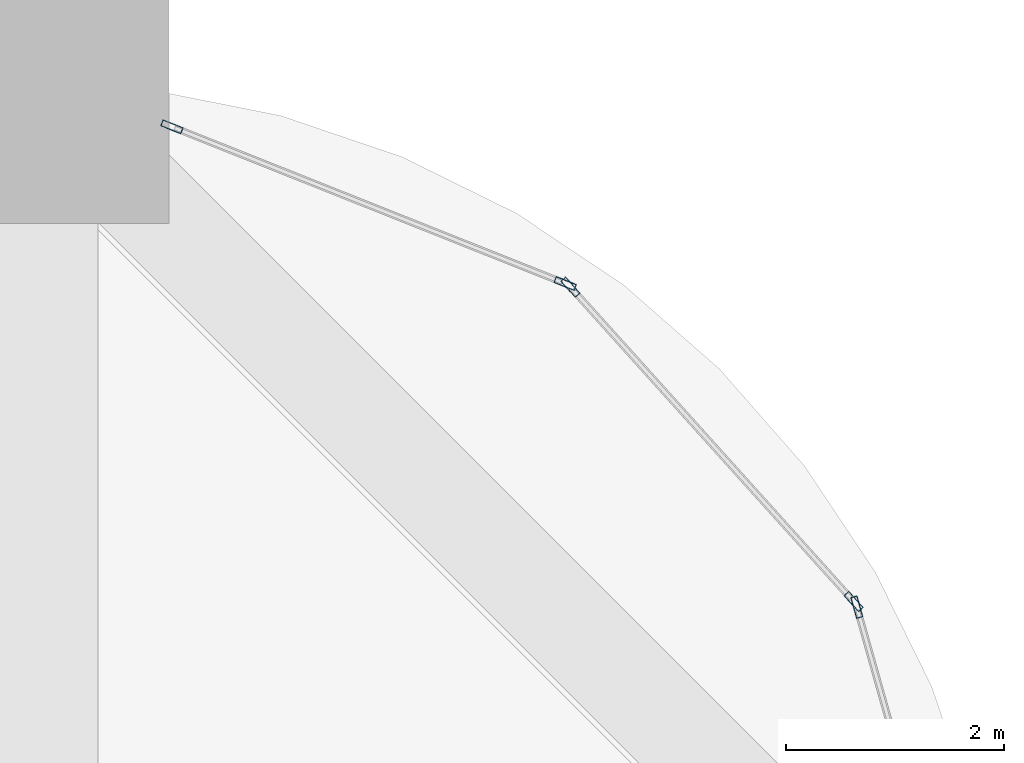
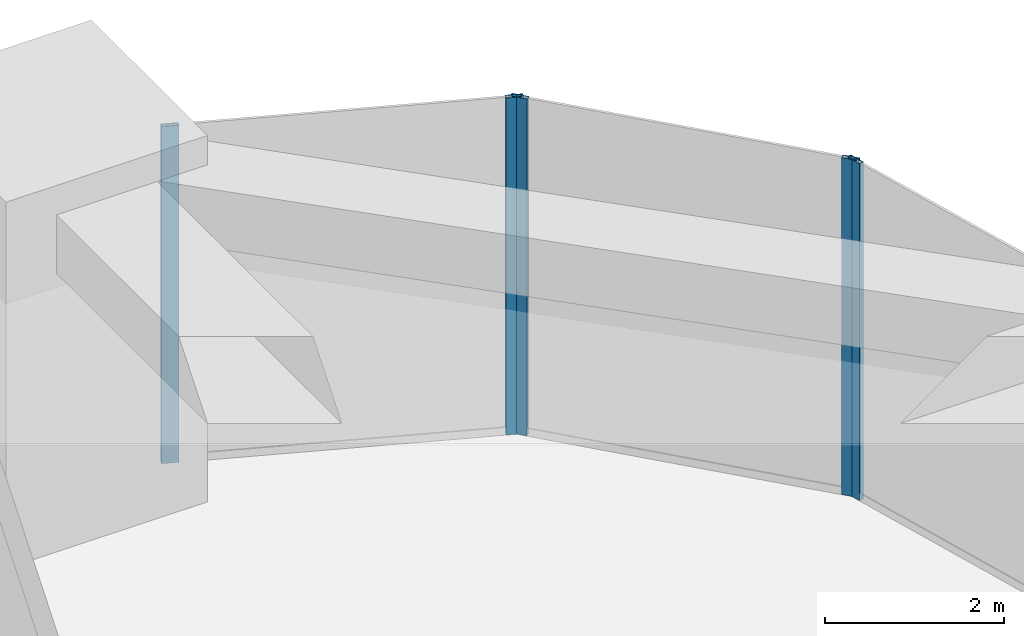
# One storey, part 39 of 46: 5 members, 3 elements without a shape of their own.
"""IFC4 building model written with IfcOpenShell, lengths in metres."""

from ifc_helpers import new_model, si_unit, direction, frame, origin, origin_2d, place, context, subcontext, project, spatial, hollow_rectangle, extrude, material, material_profile, profile_set, type_object, element, aggregate, save


model = new_model("IFC4")

# Units and contexts
model_context = context("Model", 3, precision=1e-05, world=origin(), true_north=direction((0.0, 1.0)))
body_context = subcontext(model_context, "Body", "Model", "MODEL_VIEW")
ifc_project = project(units=[si_unit("LENGTHUNIT", "METRE"), si_unit("AREAUNIT", "SQUARE_METRE"), si_unit("VOLUMEUNIT", "CUBIC_METRE"), si_unit("PLANEANGLEUNIT", "RADIAN"), si_unit("MASSUNIT", "GRAM", prefix="KILO")], contexts=[model_context])

# Site, building, storey
site_placement = place(None, origin())
site = spatial("IfcSite", under=ifc_project, at=site_placement, CompositionType="ELEMENT")
building_placement = place(site_placement, origin())
building = spatial("IfcBuilding", under=site, at=building_placement, Name="Zorevar Civic Tower", CompositionType="ELEMENT")
storey_placement = place(building_placement, frame((0.0, 0.0, 10.800048828125)))
storey = spatial("IfcBuildingStorey", under=building, at=storey_placement, Name="L02", CompositionType="ELEMENT", Elevation=10.800048828125)

# Curtain wall, member
ifc_material_1 = material(Name="Dark grey solar-control glass in black aluminium frame", Category="aluminium")
curtain_wall_type = type_object("IfcCurtainWallType", Name="Curtain wall CW1 podium", PredefinedType="NOTDEFINED", material=ifc_material_1)
curtain_wall_1_placement = place(storey_placement, origin())
curtain_wall_1 = element("IfcCurtainWall", 1, at=curtain_wall_1_placement, inside=storey, type_object=curtain_wall_type, Name="CW1 L02", PredefinedType="NOTDEFINED")
ifc_material_2 = material(Name="Aluminium, black anodised", Category="aluminium")
ifc_material_profile = material_profile(ifc_material_2, hollow_rectangle(XDim=0.06005859375, YDim=0.199951171875, WallThickness=0.00390625, at=origin_2d()), Name="AL 200x60x4")
ifc_profile_set = profile_set([ifc_material_profile], Name="Aluminium, black anodised")
member_type = type_object("IfcMemberType", Name="CW1 mullion AL 200x60x4", PredefinedType="MULLION", material=ifc_profile_set)
member_1_placement = place(storey_placement, frame((70.625244140625, 49.174560546875, 0.0), z_axis=(0.0, 0.0, 1.0), x_axis=(-0.962390725943, -0.271669082929, 0.0)))
member_1 = element("IfcMember", 2, at=member_1_placement, type_object=member_type, Name="CW1 mullion 2", PredefinedType="MULLION", context=body_context, shape_type="SweptSolid", body=[
    extrude(hollow_rectangle(XDim=0.06005859375, YDim=0.199951171875, WallThickness=0.00390625, at=origin_2d()), origin(), (0.0, 0.0, 1.0), 4.599853515625),
])
aggregate(curtain_wall_1, [member_1])

# Curtain wall, members
curtain_wall_2_placement = place(storey_placement, origin())
curtain_wall_2 = element("IfcCurtainWall", 3, at=curtain_wall_2_placement, inside=storey, type_object=curtain_wall_type, Name="CW1 L02", PredefinedType="NOTDEFINED")
member_2_placement = place(storey_placement, frame((70.596923828125, 49.225830078125, 0.0), z_axis=(0.0, 0.0, 1.0), x_axis=(-0.742899688263, -0.669402758568, 0.0)))
member_2 = element("IfcMember", 4, at=member_2_placement, type_object=member_type, Name="CW1 mullion 1", PredefinedType="MULLION", context=body_context, shape_type="SweptSolid", body=[
    extrude(hollow_rectangle(XDim=0.06005859375, YDim=0.199951171875, WallThickness=0.00390625, at=origin_2d()), origin(), (0.0, 0.0, 1.0), 4.599853515625),
])
member_3_placement = place(storey_placement, frame((67.991455078125, 52.1171875, 0.0), z_axis=(0.0, 0.0, 1.0), x_axis=(-0.742899688263, -0.669402758568, 0.0)))
member_3 = element("IfcMember", 5, at=member_3_placement, type_object=member_type, Name="CW1 mullion 2", PredefinedType="MULLION", context=body_context, shape_type="SweptSolid", body=[
    extrude(hollow_rectangle(XDim=0.06005859375, YDim=0.199951171875, WallThickness=0.00390625, at=origin_2d()), origin(), (0.0, 0.0, 1.0), 4.599853515625),
])
aggregate(curtain_wall_2, [member_2, member_3])

curtain_wall_3_placement = place(storey_placement, origin())
curtain_wall_3 = element("IfcCurtainWall", 6, at=curtain_wall_3_placement, inside=storey, type_object=curtain_wall_type, Name="CW1 L02", PredefinedType="NOTDEFINED")
member_4_placement = place(storey_placement, frame((67.943603515625, 52.150634765625, 0.0), z_axis=(0.0, 0.0, 1.0), x_axis=(-0.370110964218, -0.928987553289, 0.0)))
member_4 = element("IfcMember", 7, at=member_4_placement, type_object=member_type, Name="CW1 mullion 1", PredefinedType="MULLION", context=body_context, shape_type="SweptSolid", body=[
    extrude(hollow_rectangle(XDim=0.06005859375, YDim=0.199951171875, WallThickness=0.00390625, at=origin_2d()), origin(), (0.0, 0.0, 1.0), 4.599853515625),
])
member_5_placement = place(storey_placement, frame((64.327880859375, 53.591064453125, 0.0), z_axis=(0.0, 0.0, 1.0), x_axis=(-0.370110964218, -0.928987553289, 0.0)))
member_5 = element("IfcMember", 8, at=member_5_placement, type_object=member_type, Name="CW1 mullion 2", PredefinedType="MULLION", context=body_context, shape_type="SweptSolid", body=[
    extrude(hollow_rectangle(XDim=0.06005859375, YDim=0.199951171875, WallThickness=0.00390625, at=origin_2d()), origin(), (0.0, 0.0, 1.0), 4.599853515625),
])
aggregate(curtain_wall_3, [member_4, member_5])

save(model, "model.ifc")
